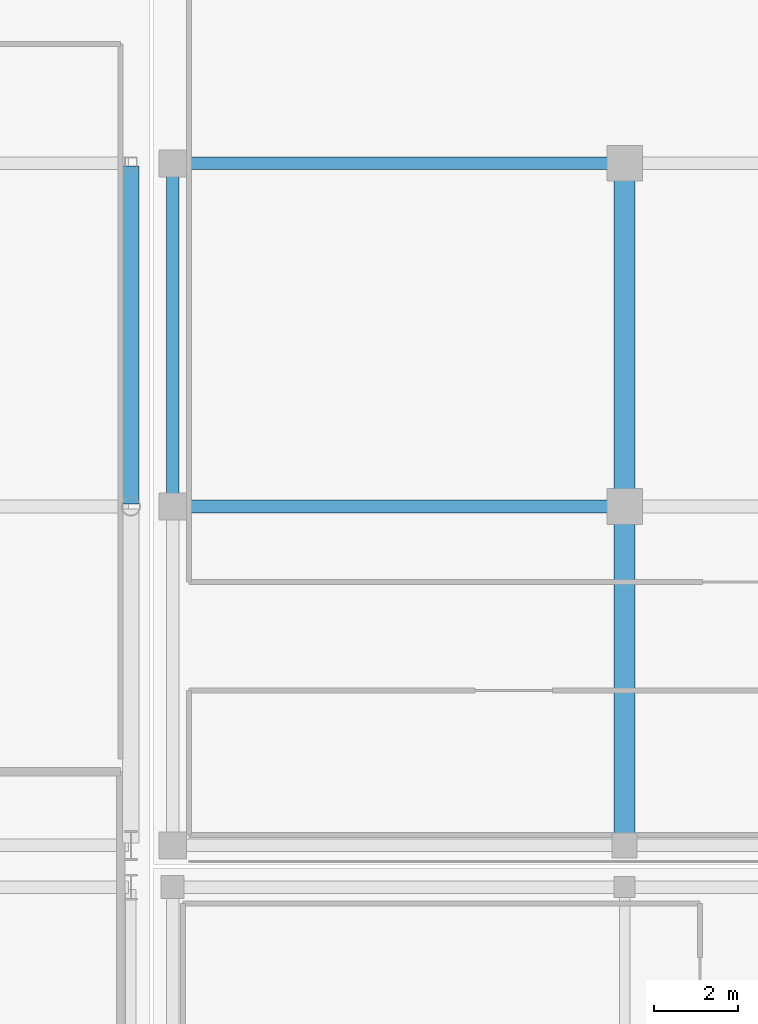
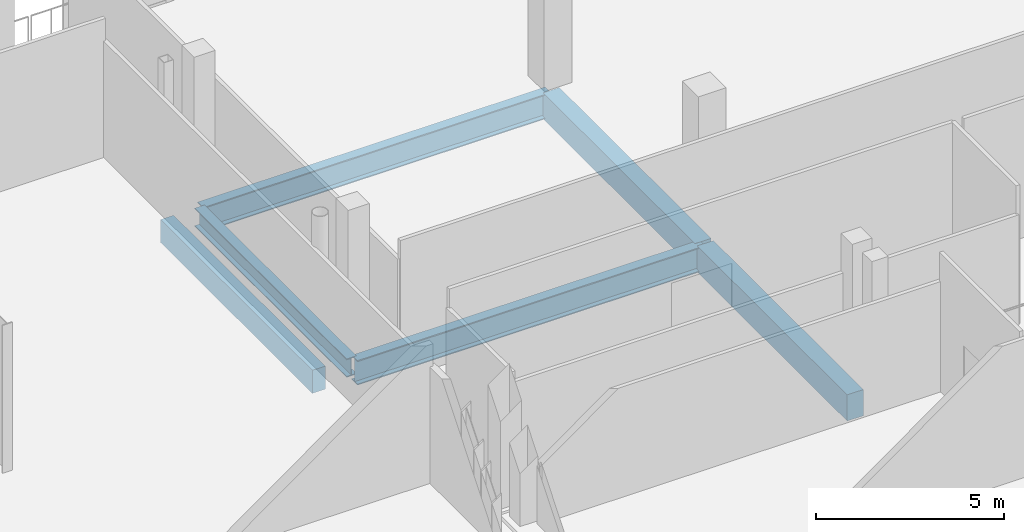
# One storey, part 47 of 129: 6 beams.
"""IFC4 building model written with IfcOpenShell, lengths in metres."""

from ifc_helpers import new_model, si_unit, direction, frame, origin, origin_2d, place, context, subcontext, project, spatial, rectangle, i_section, extrude, material, material_profile, profile_set, type_object, element, save


model = new_model("IFC4")

# Units and contexts
model_context = context("Model", 3, precision=1e-05, world=origin(), true_north=direction((0.0, 1.0)))
body_context = subcontext(model_context, "Body", "Model", "MODEL_VIEW")
ifc_project = project(units=[si_unit("LENGTHUNIT", "METRE"), si_unit("AREAUNIT", "SQUARE_METRE"), si_unit("VOLUMEUNIT", "CUBIC_METRE"), si_unit("PLANEANGLEUNIT", "RADIAN"), si_unit("MASSUNIT", "GRAM", prefix="KILO")], contexts=[model_context])

# Site, building, storey
site_placement = place(None, origin())
site = spatial("IfcSite", under=ifc_project, at=site_placement, CompositionType="ELEMENT")
building_placement = place(site_placement, origin())
building = spatial("IfcBuilding", under=site, at=building_placement, Name="Koshinbarg Plaza Stadium", CompositionType="ELEMENT")
storey_placement = place(building_placement, frame((0.0, 0.0, 5.39990234375)))
storey = spatial("IfcBuildingStorey", under=building, at=storey_placement, Name="L01", CompositionType="ELEMENT", Elevation=5.39990234375)

# Beams
ifc_material_1 = material(Name="Concrete C40/50", Category="concrete")
ifc_material_profile_1 = material_profile(ifc_material_1, rectangle(XDim=0.39990234375, YDim=0.75, at=origin_2d()), Name="RC 400x750")
ifc_profile_set_1 = profile_set([ifc_material_profile_1], Name="Concrete C40/50")
beam_type_1 = type_object("IfcBeamType", Name="BM-RCG-03", PredefinedType="USERDEFINED", material=ifc_profile_set_1)
beam_1_placement = place(storey_placement, frame((23.60009765625, 135.659912109375, -0.69482421875), z_axis=(0.0, 1.0, 0.0), x_axis=(-1.0, 0.0, 0.0)))
element("IfcBeam", 1, at=beam_1_placement, inside=storey, type_object=beam_type_1, Name="L01 Y girder 4/T-U", ObjectType="GIRDER", PredefinedType="USERDEFINED", context=body_context, shape_type="SweptSolid", body=[
    extrude(rectangle(XDim=0.39990234375, YDim=0.75, at=origin_2d()), origin(), (0.0, 0.0, 1.0), 8.080078125),
])
ifc_material_profile_2 = material_profile(ifc_material_1, rectangle(XDim=0.5, YDim=0.85009765625, at=origin_2d()), Name="RC 500x850")
ifc_profile_set_2 = profile_set([ifc_material_profile_2], Name="Concrete C40/50")
beam_type_2 = type_object("IfcBeamType", Name="BM-RCG-05", PredefinedType="USERDEFINED", material=ifc_profile_set_2)
beam_2_placement = place(storey_placement, frame((35.39990234375, 127.56005859375, -0.744873046875), z_axis=(0.0, 1.0, 0.0), x_axis=(-1.0, 0.0, 0.0)))
element("IfcBeam", 2, at=beam_2_placement, inside=storey, type_object=beam_type_2, Name="L01 Y girder 6/S-T", ObjectType="GIRDER", PredefinedType="USERDEFINED", context=body_context, shape_type="SweptSolid", body=[
    extrude(rectangle(XDim=0.5, YDim=0.85009765625, at=origin_2d()), origin(), (0.0, 0.0, 1.0), 7.97998046875),
])
beam_3_placement = place(storey_placement, frame((35.39990234375, 135.659912109375, -0.744873046875), z_axis=(0.0, 1.0, 0.0), x_axis=(-1.0, 0.0, 0.0)))
element("IfcBeam", 3, at=beam_3_placement, inside=storey, type_object=beam_type_2, Name="L01 Y girder 6/T-U", ObjectType="GIRDER", PredefinedType="USERDEFINED", context=body_context, shape_type="SweptSolid", body=[
    extrude(rectangle(XDim=0.5, YDim=0.85009765625, at=origin_2d()), origin(), (0.0, 0.0, 1.0), 8.080078125),
])
ifc_material_2 = material(Name="Steel S355", Category="steel")
ifc_material_profile_3 = material_profile(ifc_material_2, i_section(OverallWidth=0.300048828125, OverallDepth=0.60009765625, WebThickness=0.015380859375, FlangeThickness=0.030029296875, at=origin_2d()), Name="HEB 600")
ifc_profile_set_3 = profile_set([ifc_material_profile_3], Name="Steel S355")
beam_type_3 = type_object("IfcBeamType", Name="BM-SGIR-02", PredefinedType="USERDEFINED", material=ifc_profile_set_3)
beam_4_placement = place(storey_placement, frame((24.60009765625, 135.659912109375, -0.619873046875), z_axis=(0.0, 1.0, 0.0), x_axis=(-1.0, 0.0, 0.0)))
element("IfcBeam", 4, at=beam_4_placement, inside=storey, type_object=beam_type_3, Name="L01 Y girder 5/T-U", ObjectType="GIRDER", PredefinedType="USERDEFINED", context=body_context, shape_type="SweptSolid", body=[
    extrude(i_section(OverallWidth=0.300048828125, OverallDepth=0.60009765625, WebThickness=0.015380859375, FlangeThickness=0.030029296875, at=origin_2d()), origin(), (0.0, 0.0, 1.0), 8.080078125),
])
ifc_material_profile_4 = material_profile(ifc_material_2, i_section(OverallWidth=0.300048828125, OverallDepth=0.800048828125, WebThickness=0.017578125, FlangeThickness=0.032958984375, at=origin_2d()), Name="HEB 800")
ifc_profile_set_4 = profile_set([ifc_material_profile_4], Name="Steel S355")
beam_type_4 = type_object("IfcBeamType", Name="BM-SGIR-04", PredefinedType="USERDEFINED", material=ifc_profile_set_4)
for number, where, z_axis, x_axis, name in (
    (5, (24.659912109375, 135.60009765625, -0.719970703125), (1.0, 0.0, 0.0), (0.0, 1.0, 0.0), "L01 X girder T/5-6"),
    (6, (24.659912109375, 143.800048828125, -0.719970703125), (1.0, 0.0, 0.0), (0.0, 1.0, 0.0), "L01 X girder U/5-6"),
):
    element("IfcBeam", number, at=place(storey_placement, frame(where, z_axis=z_axis, x_axis=x_axis)), inside=storey, type_object=beam_type_4, Name=name, ObjectType="GIRDER", PredefinedType="USERDEFINED", context=body_context, shape_type="SweptSolid", body=[
        extrude(i_section(OverallWidth=0.300048828125, OverallDepth=0.800048828125, WebThickness=0.017578125, FlangeThickness=0.032958984375, at=origin_2d()), origin(), (0.0, 0.0, 1.0), 10.68017578125),
    ])

save(model, "model.ifc")
